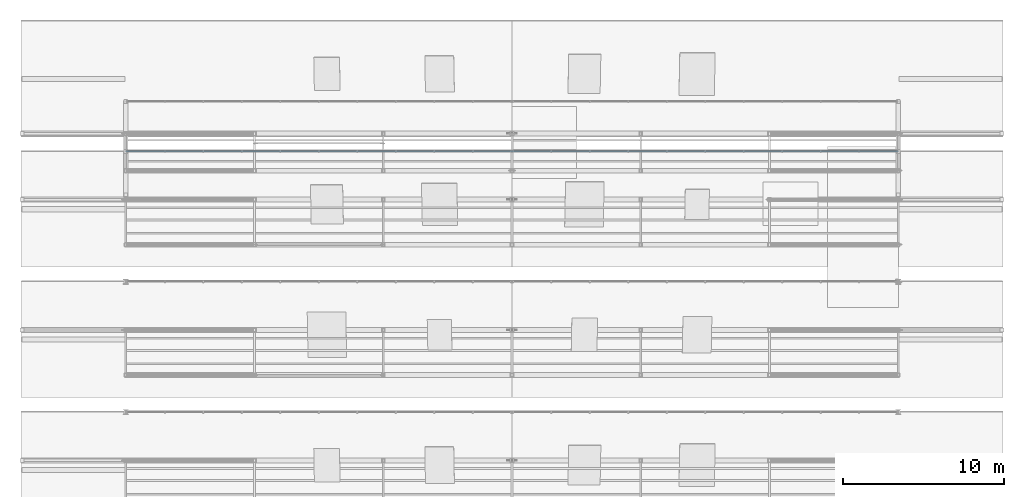
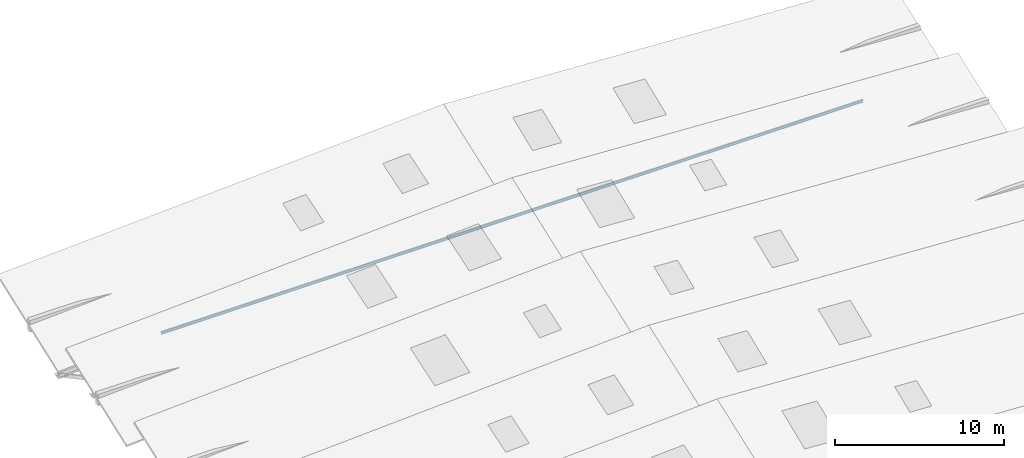
# One storey, part 97 of 141: 1 member.
"""IFC4 building model written with IfcOpenShell, lengths in metres."""

from ifc_helpers import new_model, si_unit, direction, frame, origin, origin_2d, place, context, subcontext, project, spatial, i_section, extrude, material, material_profile, profile_set, type_object, element, save


model = new_model("IFC4")

# Units and contexts
model_context = context("Model", 3, precision=1e-05, world=origin(), true_north=direction((0.0, 1.0)))
body_context = subcontext(model_context, "Body", "Model", "MODEL_VIEW")
ifc_project = project(units=[si_unit("LENGTHUNIT", "METRE"), si_unit("AREAUNIT", "SQUARE_METRE"), si_unit("VOLUMEUNIT", "CUBIC_METRE"), si_unit("PLANEANGLEUNIT", "RADIAN"), si_unit("MASSUNIT", "GRAM", prefix="KILO")], contexts=[model_context])

# Site, building, storey
site_placement = place(None, origin())
site = spatial("IfcSite", under=ifc_project, at=site_placement, CompositionType="ELEMENT")
building_placement = place(site_placement, origin())
building = spatial("IfcBuilding", under=site, at=building_placement, Name="Sundkrona Museum", CompositionType="ELEMENT")
storey_placement = place(building_placement, frame((0.0, 0.0, 34.0)))
storey = spatial("IfcBuildingStorey", under=building, at=storey_placement, Name="RF", CompositionType="ELEMENT", Elevation=34.0)

# Member
ifc_material = material(Name="Steel S355J2", Category="steel")
ifc_material_profile = material_profile(ifc_material, i_section(OverallWidth=0.10009765625, OverallDepth=0.199951171875, WebThickness=0.005615234375, FlangeThickness=0.008544921875, FilletRadius=0.011962890625, at=origin_2d()), Name="IPE 200")
ifc_profile_set = profile_set([ifc_material_profile], Name="Steel S355J2")
member_type = type_object("IfcMemberType", Name="PR-IPE200", PredefinedType="PURLIN", material=ifc_profile_set)
member_placement = place(storey_placement, frame((120.0, 42.699951171875, 4.222900390625), z_axis=(1.0, 0.0, 0.0), x_axis=(0.0, 1.0, 0.0)))
element("IfcMember", 1, at=member_placement, inside=storey, type_object=member_type, Name="RFS-1 Sawtooth Bay 6 Clerestory Sill Beam", PredefinedType="PURLIN", context=body_context, shape_type="SweptSolid", body=[
    extrude(i_section(OverallWidth=0.10009765625, OverallDepth=0.199951171875, WebThickness=0.005615234375, FlangeThickness=0.008544921875, FilletRadius=0.011962890625, at=origin_2d()), origin(), (0.0, 0.0, 1.0), 48.0),
])

save(model, "model.ifc")
